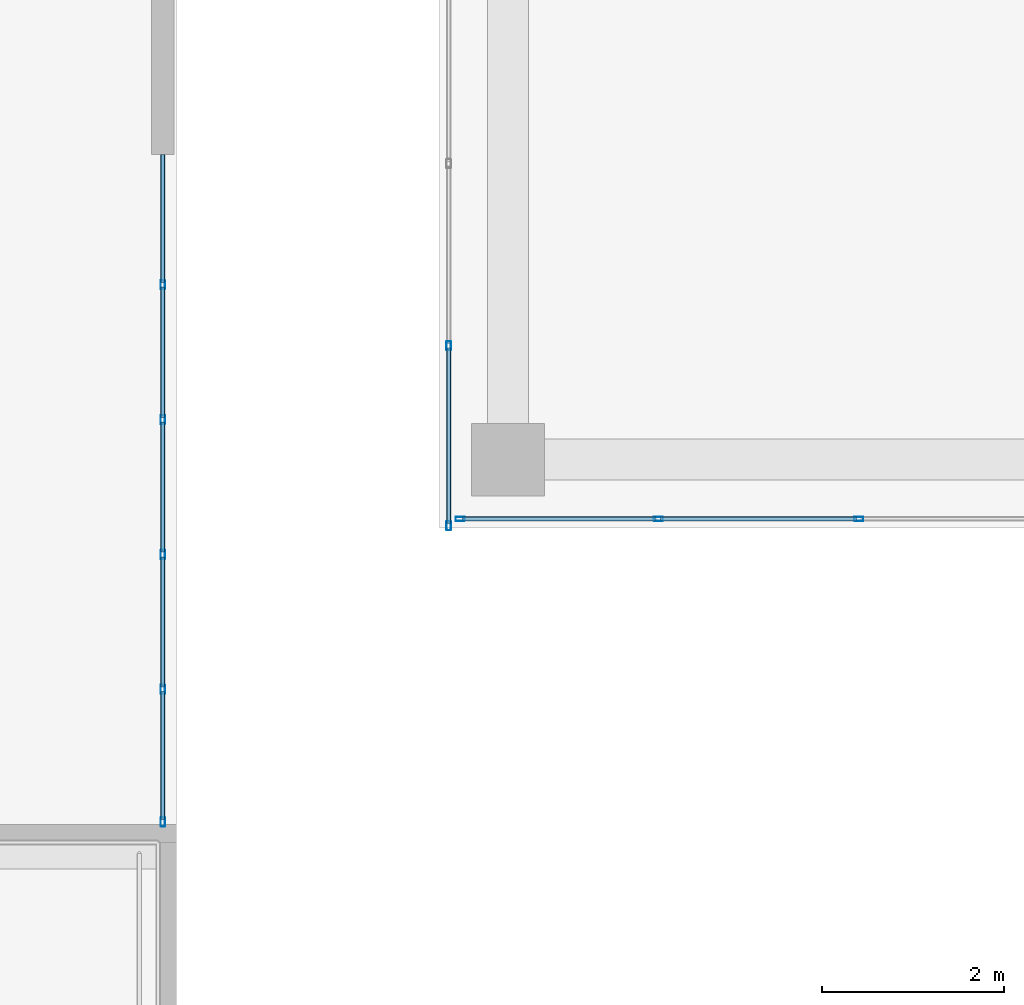
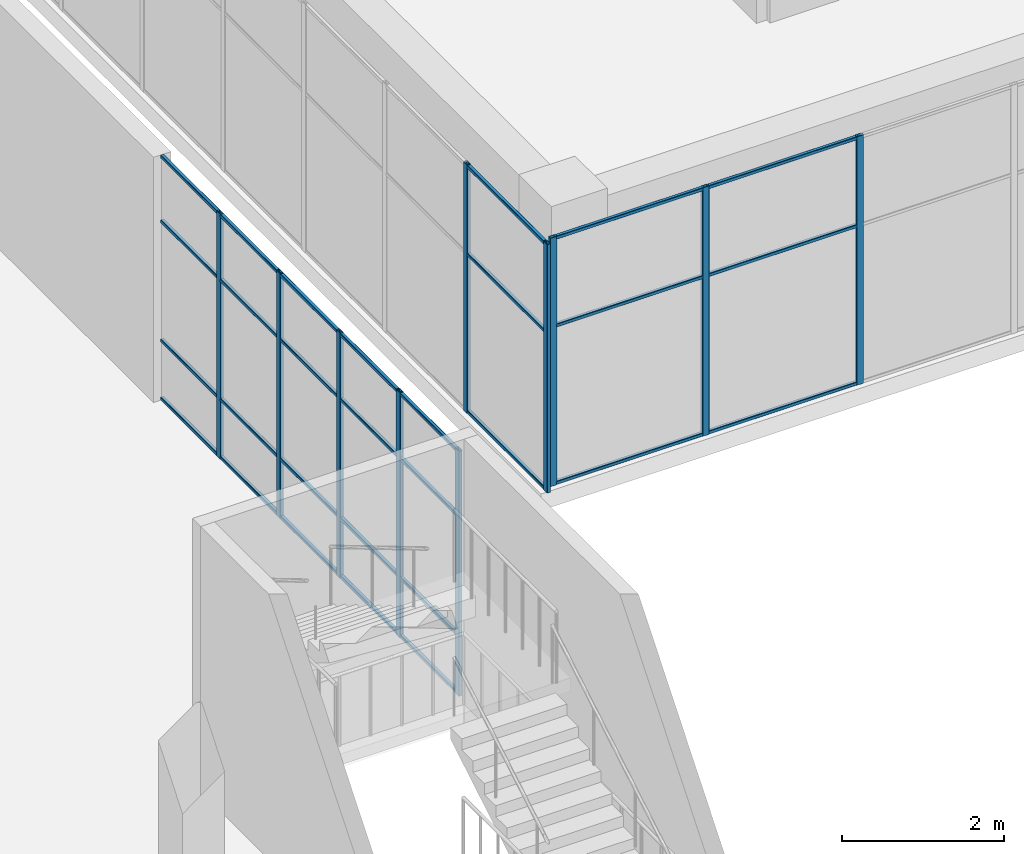
# One storey, part 11 of 65: 39 members, 3 elements without a shape of their own.
"""IFC4 building model written with IfcOpenShell, lengths in metres."""

from ifc_helpers import new_model, si_unit, direction, frame, origin, origin_2d, place, context, subcontext, project, spatial, hollow_rectangle, extrude, material, layer, layer_set, material_profile, profile_set, type_object, element, aggregate, save


model = new_model("IFC4")

# Units and contexts
model_context = context("Model", 3, precision=1e-05, world=origin(), true_north=direction((0.0, 1.0)))
body_context = subcontext(model_context, "Body", "Model", "MODEL_VIEW")
ifc_project = project(units=[si_unit("LENGTHUNIT", "METRE"), si_unit("AREAUNIT", "SQUARE_METRE"), si_unit("VOLUMEUNIT", "CUBIC_METRE"), si_unit("PLANEANGLEUNIT", "RADIAN"), si_unit("MASSUNIT", "GRAM", prefix="KILO")], contexts=[model_context])

# Site, building, storey
site_placement = place(None, origin())
site = spatial("IfcSite", under=ifc_project, at=site_placement, CompositionType="ELEMENT")
building_placement = place(site_placement, origin())
building = spatial("IfcBuilding", under=site, at=building_placement, Name="Tuart Plaza Theatre", CompositionType="ELEMENT")
storey_placement = place(building_placement, frame((0.0, 0.0, 9.5)))
storey = spatial("IfcBuildingStorey", under=building, at=storey_placement, Name="L02", CompositionType="ELEMENT", Elevation=9.5)

# Curtain wall, members
ifc_material_1 = material(Name="Aluminium and glass", Category="aluminium")
ifc_layer_1 = layer(ifc_material_1, 0.10009765625)
ifc_layer_set_1 = layer_set([ifc_layer_1], Name="CURTAIN WALL 1500 module")
curtain_wall_type_1 = type_object("IfcCurtainWallType", Name="CURTAIN WALL 1500 module", PredefinedType="NOTDEFINED", material=ifc_layer_set_1)
curtain_wall_1_placement = place(storey_placement, origin())
curtain_wall_1 = element("IfcCurtainWall", 1, at=curtain_wall_1_placement, inside=storey, type_object=curtain_wall_type_1, Name="CW34", PredefinedType="NOTDEFINED")
ifc_material_2 = material(Name="Aluminium 6063-T5", Category="aluminium")
ifc_material_profile_1 = material_profile(ifc_material_2, hollow_rectangle(XDim=0.050048828125, YDim=0.10009765625, WallThickness=0.00390625, InnerFilletRadius=0.00390625, OuterFilletRadius=0.008056640625, at=origin_2d()), Name="RHS 100x50x4")
ifc_profile_set_1 = profile_set([ifc_material_profile_1], Name="Aluminium 6063-T5")
member_type_1 = type_object("IfcMemberType", Name="MULLION RHS 100x50x4", PredefinedType="MULLION", material=ifc_profile_set_1)
member_1_placement = place(storey_placement, frame((110.212890625, 52.02490234375, 0.0), z_axis=(0.0, 0.0, 1.0), x_axis=(-1.0, 0.0, 0.0)))
member_1 = element("IfcMember", 2, at=member_1_placement, type_object=member_type_1, Name="CW34 mullion 1", PredefinedType="MULLION", context=body_context, shape_type="SweptSolid", body=[
    extrude(hollow_rectangle(XDim=0.050048828125, YDim=0.10009765625, WallThickness=0.00390625, InnerFilletRadius=0.00390625, OuterFilletRadius=0.008056640625, at=origin_2d()), origin(), (0.0, 0.0, 1.0), 3.699951171875),
])
member_2_placement = place(storey_placement, frame((110.212890625, 53.47998046875, 0.0), z_axis=(0.0, 0.0, 1.0), x_axis=(-1.0, 0.0, 0.0)))
member_2 = element("IfcMember", 3, at=member_2_placement, type_object=member_type_1, Name="CW34 mullion 2", PredefinedType="MULLION", context=body_context, shape_type="SweptSolid", body=[
    extrude(hollow_rectangle(XDim=0.050048828125, YDim=0.10009765625, WallThickness=0.00390625, InnerFilletRadius=0.00390625, OuterFilletRadius=0.008056640625, at=origin_2d()), origin(), (0.0, 0.0, 1.0), 3.699951171875),
])
member_3_placement = place(storey_placement, frame((110.212890625, 54.9599609375, 0.0), z_axis=(0.0, 0.0, 1.0), x_axis=(-1.0, 0.0, 0.0)))
member_3 = element("IfcMember", 4, at=member_3_placement, type_object=member_type_1, Name="CW34 mullion 3", PredefinedType="MULLION", context=body_context, shape_type="SweptSolid", body=[
    extrude(hollow_rectangle(XDim=0.050048828125, YDim=0.10009765625, WallThickness=0.00390625, InnerFilletRadius=0.00390625, OuterFilletRadius=0.008056640625, at=origin_2d()), origin(), (0.0, 0.0, 1.0), 3.699951171875),
])
member_4_placement = place(storey_placement, frame((110.212890625, 56.43994140625, 0.0), z_axis=(0.0, 0.0, 1.0), x_axis=(-1.0, 0.0, 0.0)))
member_4 = element("IfcMember", 5, at=member_4_placement, type_object=member_type_1, Name="CW34 mullion 4", PredefinedType="MULLION", context=body_context, shape_type="SweptSolid", body=[
    extrude(hollow_rectangle(XDim=0.050048828125, YDim=0.10009765625, WallThickness=0.00390625, InnerFilletRadius=0.00390625, OuterFilletRadius=0.008056640625, at=origin_2d()), origin(), (0.0, 0.0, 1.0), 3.699951171875),
])
member_5_placement = place(storey_placement, frame((110.212890625, 57.919921875, 0.0), z_axis=(0.0, 0.0, 1.0), x_axis=(-1.0, 0.0, 0.0)))
member_5 = element("IfcMember", 6, at=member_5_placement, type_object=member_type_1, Name="CW34 mullion 5", PredefinedType="MULLION", context=body_context, shape_type="SweptSolid", body=[
    extrude(hollow_rectangle(XDim=0.050048828125, YDim=0.10009765625, WallThickness=0.00390625, InnerFilletRadius=0.00390625, OuterFilletRadius=0.008056640625, at=origin_2d()), origin(), (0.0, 0.0, 1.0), 3.699951171875),
])

ifc_material_3 = material(Name="Aluminium and glass", Category="aluminium")
ifc_layer_2 = layer(ifc_material_3, 0.10009765625)
ifc_layer_set_2 = layer_set([ifc_layer_2], Name="CURTAIN WALL 2000 module")
curtain_wall_type_2 = type_object("IfcCurtainWallType", Name="CURTAIN WALL 2000 module", PredefinedType="NOTDEFINED", material=ifc_layer_set_2)
curtain_wall_2_placement = place(storey_placement, origin())
curtain_wall_2 = element("IfcCurtainWall", 7, at=curtain_wall_2_placement, inside=storey, type_object=curtain_wall_type_2, Name="CW73", PredefinedType="NOTDEFINED")
member_6_placement = place(storey_placement, frame((113.35009765625, 57.25, 0.0), z_axis=(0.0, 0.0, 1.0), x_axis=(1.0, 0.0, 0.0)))
member_6 = element("IfcMember", 8, at=member_6_placement, type_object=member_type_1, Name="CW73 mullion 21", PredefinedType="MULLION", context=body_context, shape_type="SweptSolid", body=[
    extrude(hollow_rectangle(XDim=0.050048828125, YDim=0.10009765625, WallThickness=0.00390625, InnerFilletRadius=0.00390625, OuterFilletRadius=0.008056640625, at=origin_2d()), origin(), (0.0, 0.0, 1.0), 3.75),
])
member_7_placement = place(storey_placement, frame((113.35009765625, 55.27490234375, 0.0), z_axis=(0.0, 0.0, 1.0), x_axis=(1.0, 0.0, 0.0)))
member_7 = element("IfcMember", 9, at=member_7_placement, type_object=member_type_1, Name="CW73 mullion 22", PredefinedType="MULLION", context=body_context, shape_type="SweptSolid", body=[
    extrude(hollow_rectangle(XDim=0.050048828125, YDim=0.10009765625, WallThickness=0.00390625, InnerFilletRadius=0.00390625, OuterFilletRadius=0.008056640625, at=origin_2d()), origin(), (0.0, 0.0, 1.0), 3.75),
])

curtain_wall_3_placement = place(storey_placement, origin())
curtain_wall_3 = element("IfcCurtainWall", 10, at=curtain_wall_3_placement, inside=storey, type_object=curtain_wall_type_2, Name="CW74", PredefinedType="NOTDEFINED")
member_8_placement = place(storey_placement, frame((113.47509765625, 55.35009765625, 0.0), z_axis=(0.0, 0.0, 1.0), x_axis=(0.0, 1.0, 0.0)))
member_8 = element("IfcMember", 11, at=member_8_placement, type_object=member_type_1, Name="CW74 mullion 1", PredefinedType="MULLION", context=body_context, shape_type="SweptSolid", body=[
    extrude(hollow_rectangle(XDim=0.050048828125, YDim=0.10009765625, WallThickness=0.00390625, InnerFilletRadius=0.00390625, OuterFilletRadius=0.008056640625, at=origin_2d()), origin(), (0.0, 0.0, 1.0), 3.75),
])
member_9_placement = place(storey_placement, frame((115.64990234375, 55.35009765625, 0.0), z_axis=(0.0, 0.0, 1.0), x_axis=(0.0, 1.0, 0.0)))
member_9 = element("IfcMember", 12, at=member_9_placement, type_object=member_type_1, Name="CW74 mullion 2", PredefinedType="MULLION", context=body_context, shape_type="SweptSolid", body=[
    extrude(hollow_rectangle(XDim=0.050048828125, YDim=0.10009765625, WallThickness=0.00390625, InnerFilletRadius=0.00390625, OuterFilletRadius=0.008056640625, at=origin_2d()), origin(), (0.0, 0.0, 1.0), 3.75),
])
member_10_placement = place(storey_placement, frame((117.85009765625, 55.35009765625, 0.0), z_axis=(0.0, 0.0, 1.0), x_axis=(0.0, 1.0, 0.0)))
member_10 = element("IfcMember", 13, at=member_10_placement, type_object=member_type_1, Name="CW74 mullion 3", PredefinedType="MULLION", context=body_context, shape_type="SweptSolid", body=[
    extrude(hollow_rectangle(XDim=0.050048828125, YDim=0.10009765625, WallThickness=0.00390625, InnerFilletRadius=0.00390625, OuterFilletRadius=0.008056640625, at=origin_2d()), origin(), (0.0, 0.0, 1.0), 3.75),
])

# Member
ifc_material_4 = material(Name="Aluminium 6063-T5", Category="aluminium")
ifc_material_profile_2 = material_profile(ifc_material_4, hollow_rectangle(XDim=0.050048828125, YDim=0.050048828125, WallThickness=0.00390625, InnerFilletRadius=0.00390625, OuterFilletRadius=0.008056640625, at=origin_2d()), Name="RHS 50x50x4")
ifc_profile_set_2 = profile_set([ifc_material_profile_2], Name="Aluminium 6063-T5")
member_type_2 = type_object("IfcMemberType", Name="TRANSOM RHS 50x50x4", PredefinedType="USERDEFINED", material=ifc_profile_set_2)
member_11_placement = place(storey_placement, frame((110.212890625, 52.050048828125, 0.02490234375), z_axis=(0.0, 1.0, 0.0), x_axis=(-1.0, 0.0, 0.0)))
member_11 = element("IfcMember", 14, at=member_11_placement, type_object=member_type_2, Name="CW34 transom 1.1", ObjectType="TRANSOM", PredefinedType="USERDEFINED", context=body_context, shape_type="SweptSolid", body=[
    extrude(hollow_rectangle(XDim=0.050048828125, YDim=0.050048828125, WallThickness=0.00390625, InnerFilletRadius=0.00390625, OuterFilletRadius=0.008056640625, at=origin_2d()), origin(), (0.0, 0.0, 1.0), 1.405029296875),
])

member_12_placement = place(storey_placement, frame((110.212890625, 52.050048828125, 0.89990234375), z_axis=(0.0, 1.0, 0.0), x_axis=(-1.0, 0.0, 0.0)))
member_12 = element("IfcMember", 15, at=member_12_placement, type_object=member_type_2, Name="CW34 transom 1.2", ObjectType="TRANSOM", PredefinedType="USERDEFINED", context=body_context, shape_type="SweptSolid", body=[
    extrude(hollow_rectangle(XDim=0.050048828125, YDim=0.050048828125, WallThickness=0.00390625, InnerFilletRadius=0.00390625, OuterFilletRadius=0.008056640625, at=origin_2d()), origin(), (0.0, 0.0, 1.0), 1.405029296875),
])

member_13_placement = place(storey_placement, frame((110.212890625, 52.050048828125, 2.699951171875), z_axis=(0.0, 1.0, 0.0), x_axis=(-1.0, 0.0, 0.0)))
member_13 = element("IfcMember", 16, at=member_13_placement, type_object=member_type_2, Name="CW34 transom 1.3", ObjectType="TRANSOM", PredefinedType="USERDEFINED", context=body_context, shape_type="SweptSolid", body=[
    extrude(hollow_rectangle(XDim=0.050048828125, YDim=0.050048828125, WallThickness=0.00390625, InnerFilletRadius=0.00390625, OuterFilletRadius=0.008056640625, at=origin_2d()), origin(), (0.0, 0.0, 1.0), 1.405029296875),
])

member_14_placement = place(storey_placement, frame((110.212890625, 52.050048828125, 3.675048828125), z_axis=(0.0, 1.0, 0.0), x_axis=(-1.0, 0.0, 0.0)))
member_14 = element("IfcMember", 17, at=member_14_placement, type_object=member_type_2, Name="CW34 transom 1.4", ObjectType="TRANSOM", PredefinedType="USERDEFINED", context=body_context, shape_type="SweptSolid", body=[
    extrude(hollow_rectangle(XDim=0.050048828125, YDim=0.050048828125, WallThickness=0.00390625, InnerFilletRadius=0.00390625, OuterFilletRadius=0.008056640625, at=origin_2d()), origin(), (0.0, 0.0, 1.0), 1.405029296875),
])

member_15_placement = place(storey_placement, frame((110.212890625, 53.5048828125, 0.02490234375), z_axis=(0.0, 1.0, 0.0), x_axis=(-1.0, 0.0, 0.0)))
member_15 = element("IfcMember", 18, at=member_15_placement, type_object=member_type_2, Name="CW34 transom 2.1", ObjectType="TRANSOM", PredefinedType="USERDEFINED", context=body_context, shape_type="SweptSolid", body=[
    extrude(hollow_rectangle(XDim=0.050048828125, YDim=0.050048828125, WallThickness=0.00390625, InnerFilletRadius=0.00390625, OuterFilletRadius=0.008056640625, at=origin_2d()), origin(), (0.0, 0.0, 1.0), 1.43017578125),
])

member_16_placement = place(storey_placement, frame((110.212890625, 53.5048828125, 0.89990234375), z_axis=(0.0, 1.0, 0.0), x_axis=(-1.0, 0.0, 0.0)))
member_16 = element("IfcMember", 19, at=member_16_placement, type_object=member_type_2, Name="CW34 transom 2.2", ObjectType="TRANSOM", PredefinedType="USERDEFINED", context=body_context, shape_type="SweptSolid", body=[
    extrude(hollow_rectangle(XDim=0.050048828125, YDim=0.050048828125, WallThickness=0.00390625, InnerFilletRadius=0.00390625, OuterFilletRadius=0.008056640625, at=origin_2d()), origin(), (0.0, 0.0, 1.0), 1.43017578125),
])

member_17_placement = place(storey_placement, frame((110.212890625, 53.5048828125, 2.699951171875), z_axis=(0.0, 1.0, 0.0), x_axis=(-1.0, 0.0, 0.0)))
member_17 = element("IfcMember", 20, at=member_17_placement, type_object=member_type_2, Name="CW34 transom 2.3", ObjectType="TRANSOM", PredefinedType="USERDEFINED", context=body_context, shape_type="SweptSolid", body=[
    extrude(hollow_rectangle(XDim=0.050048828125, YDim=0.050048828125, WallThickness=0.00390625, InnerFilletRadius=0.00390625, OuterFilletRadius=0.008056640625, at=origin_2d()), origin(), (0.0, 0.0, 1.0), 1.43017578125),
])

member_18_placement = place(storey_placement, frame((110.212890625, 53.5048828125, 3.675048828125), z_axis=(0.0, 1.0, 0.0), x_axis=(-1.0, 0.0, 0.0)))
member_18 = element("IfcMember", 21, at=member_18_placement, type_object=member_type_2, Name="CW34 transom 2.4", ObjectType="TRANSOM", PredefinedType="USERDEFINED", context=body_context, shape_type="SweptSolid", body=[
    extrude(hollow_rectangle(XDim=0.050048828125, YDim=0.050048828125, WallThickness=0.00390625, InnerFilletRadius=0.00390625, OuterFilletRadius=0.008056640625, at=origin_2d()), origin(), (0.0, 0.0, 1.0), 1.43017578125),
])

member_19_placement = place(storey_placement, frame((110.212890625, 54.985107421875, 0.02490234375), z_axis=(0.0, 1.0, 0.0), x_axis=(-1.0, 0.0, 0.0)))
member_19 = element("IfcMember", 22, at=member_19_placement, type_object=member_type_2, Name="CW34 transom 3.1", ObjectType="TRANSOM", PredefinedType="USERDEFINED", context=body_context, shape_type="SweptSolid", body=[
    extrude(hollow_rectangle(XDim=0.050048828125, YDim=0.050048828125, WallThickness=0.00390625, InnerFilletRadius=0.00390625, OuterFilletRadius=0.008056640625, at=origin_2d()), origin(), (0.0, 0.0, 1.0), 1.429931640625),
])

member_20_placement = place(storey_placement, frame((110.212890625, 54.985107421875, 0.89990234375), z_axis=(0.0, 1.0, 0.0), x_axis=(-1.0, 0.0, 0.0)))
member_20 = element("IfcMember", 23, at=member_20_placement, type_object=member_type_2, Name="CW34 transom 3.2", ObjectType="TRANSOM", PredefinedType="USERDEFINED", context=body_context, shape_type="SweptSolid", body=[
    extrude(hollow_rectangle(XDim=0.050048828125, YDim=0.050048828125, WallThickness=0.00390625, InnerFilletRadius=0.00390625, OuterFilletRadius=0.008056640625, at=origin_2d()), origin(), (0.0, 0.0, 1.0), 1.429931640625),
])

member_21_placement = place(storey_placement, frame((110.212890625, 54.985107421875, 2.699951171875), z_axis=(0.0, 1.0, 0.0), x_axis=(-1.0, 0.0, 0.0)))
member_21 = element("IfcMember", 24, at=member_21_placement, type_object=member_type_2, Name="CW34 transom 3.3", ObjectType="TRANSOM", PredefinedType="USERDEFINED", context=body_context, shape_type="SweptSolid", body=[
    extrude(hollow_rectangle(XDim=0.050048828125, YDim=0.050048828125, WallThickness=0.00390625, InnerFilletRadius=0.00390625, OuterFilletRadius=0.008056640625, at=origin_2d()), origin(), (0.0, 0.0, 1.0), 1.429931640625),
])

member_22_placement = place(storey_placement, frame((110.212890625, 54.985107421875, 3.675048828125), z_axis=(0.0, 1.0, 0.0), x_axis=(-1.0, 0.0, 0.0)))
member_22 = element("IfcMember", 25, at=member_22_placement, type_object=member_type_2, Name="CW34 transom 3.4", ObjectType="TRANSOM", PredefinedType="USERDEFINED", context=body_context, shape_type="SweptSolid", body=[
    extrude(hollow_rectangle(XDim=0.050048828125, YDim=0.050048828125, WallThickness=0.00390625, InnerFilletRadius=0.00390625, OuterFilletRadius=0.008056640625, at=origin_2d()), origin(), (0.0, 0.0, 1.0), 1.429931640625),
])

member_23_placement = place(storey_placement, frame((110.212890625, 56.465087890625, 0.02490234375), z_axis=(0.0, 1.0, 0.0), x_axis=(-1.0, 0.0, 0.0)))
member_23 = element("IfcMember", 26, at=member_23_placement, type_object=member_type_2, Name="CW34 transom 4.1", ObjectType="TRANSOM", PredefinedType="USERDEFINED", context=body_context, shape_type="SweptSolid", body=[
    extrude(hollow_rectangle(XDim=0.050048828125, YDim=0.050048828125, WallThickness=0.00390625, InnerFilletRadius=0.00390625, OuterFilletRadius=0.008056640625, at=origin_2d()), origin(), (0.0, 0.0, 1.0), 1.429931640625),
])

member_24_placement = place(storey_placement, frame((110.212890625, 56.465087890625, 0.89990234375), z_axis=(0.0, 1.0, 0.0), x_axis=(-1.0, 0.0, 0.0)))
member_24 = element("IfcMember", 27, at=member_24_placement, type_object=member_type_2, Name="CW34 transom 4.2", ObjectType="TRANSOM", PredefinedType="USERDEFINED", context=body_context, shape_type="SweptSolid", body=[
    extrude(hollow_rectangle(XDim=0.050048828125, YDim=0.050048828125, WallThickness=0.00390625, InnerFilletRadius=0.00390625, OuterFilletRadius=0.008056640625, at=origin_2d()), origin(), (0.0, 0.0, 1.0), 1.429931640625),
])

member_25_placement = place(storey_placement, frame((110.212890625, 56.465087890625, 2.699951171875), z_axis=(0.0, 1.0, 0.0), x_axis=(-1.0, 0.0, 0.0)))
member_25 = element("IfcMember", 28, at=member_25_placement, type_object=member_type_2, Name="CW34 transom 4.3", ObjectType="TRANSOM", PredefinedType="USERDEFINED", context=body_context, shape_type="SweptSolid", body=[
    extrude(hollow_rectangle(XDim=0.050048828125, YDim=0.050048828125, WallThickness=0.00390625, InnerFilletRadius=0.00390625, OuterFilletRadius=0.008056640625, at=origin_2d()), origin(), (0.0, 0.0, 1.0), 1.429931640625),
])

member_26_placement = place(storey_placement, frame((110.212890625, 56.465087890625, 3.675048828125), z_axis=(0.0, 1.0, 0.0), x_axis=(-1.0, 0.0, 0.0)))
member_26 = element("IfcMember", 29, at=member_26_placement, type_object=member_type_2, Name="CW34 transom 4.4", ObjectType="TRANSOM", PredefinedType="USERDEFINED", context=body_context, shape_type="SweptSolid", body=[
    extrude(hollow_rectangle(XDim=0.050048828125, YDim=0.050048828125, WallThickness=0.00390625, InnerFilletRadius=0.00390625, OuterFilletRadius=0.008056640625, at=origin_2d()), origin(), (0.0, 0.0, 1.0), 1.429931640625),
])

member_27_placement = place(storey_placement, frame((110.212890625, 57.945068359375, 0.02490234375), z_axis=(0.0, 1.0, 0.0), x_axis=(-1.0, 0.0, 0.0)))
member_27 = element("IfcMember", 30, at=member_27_placement, type_object=member_type_2, Name="CW34 transom 5.1", ObjectType="TRANSOM", PredefinedType="USERDEFINED", context=body_context, shape_type="SweptSolid", body=[
    extrude(hollow_rectangle(XDim=0.050048828125, YDim=0.050048828125, WallThickness=0.00390625, InnerFilletRadius=0.00390625, OuterFilletRadius=0.008056640625, at=origin_2d()), origin(), (0.0, 0.0, 1.0), 1.405029296875),
])

member_28_placement = place(storey_placement, frame((110.212890625, 57.945068359375, 0.89990234375), z_axis=(0.0, 1.0, 0.0), x_axis=(-1.0, 0.0, 0.0)))
member_28 = element("IfcMember", 31, at=member_28_placement, type_object=member_type_2, Name="CW34 transom 5.2", ObjectType="TRANSOM", PredefinedType="USERDEFINED", context=body_context, shape_type="SweptSolid", body=[
    extrude(hollow_rectangle(XDim=0.050048828125, YDim=0.050048828125, WallThickness=0.00390625, InnerFilletRadius=0.00390625, OuterFilletRadius=0.008056640625, at=origin_2d()), origin(), (0.0, 0.0, 1.0), 1.405029296875),
])

member_29_placement = place(storey_placement, frame((110.212890625, 57.945068359375, 2.699951171875), z_axis=(0.0, 1.0, 0.0), x_axis=(-1.0, 0.0, 0.0)))
member_29 = element("IfcMember", 32, at=member_29_placement, type_object=member_type_2, Name="CW34 transom 5.3", ObjectType="TRANSOM", PredefinedType="USERDEFINED", context=body_context, shape_type="SweptSolid", body=[
    extrude(hollow_rectangle(XDim=0.050048828125, YDim=0.050048828125, WallThickness=0.00390625, InnerFilletRadius=0.00390625, OuterFilletRadius=0.008056640625, at=origin_2d()), origin(), (0.0, 0.0, 1.0), 1.405029296875),
])

member_30_placement = place(storey_placement, frame((110.212890625, 57.945068359375, 3.675048828125), z_axis=(0.0, 1.0, 0.0), x_axis=(-1.0, 0.0, 0.0)))
member_30 = element("IfcMember", 33, at=member_30_placement, type_object=member_type_2, Name="CW34 transom 5.4", ObjectType="TRANSOM", PredefinedType="USERDEFINED", context=body_context, shape_type="SweptSolid", body=[
    extrude(hollow_rectangle(XDim=0.050048828125, YDim=0.050048828125, WallThickness=0.00390625, InnerFilletRadius=0.00390625, OuterFilletRadius=0.008056640625, at=origin_2d()), origin(), (0.0, 0.0, 1.0), 1.405029296875),
])

aggregate(curtain_wall_1, [member_1, member_2, member_3, member_4, member_5, member_11, member_12, member_13, member_14, member_15, member_16, member_17, member_18, member_19, member_20, member_21, member_22, member_23, member_24, member_25, member_26, member_27, member_28, member_29, member_30])

member_31_placement = place(storey_placement, frame((113.35009765625, 57.22509765625, 0.02490234375), z_axis=(0.0, -1.0, 0.0), x_axis=(1.0, 0.0, 0.0)))
member_31 = element("IfcMember", 34, at=member_31_placement, type_object=member_type_2, Name="CW73 transom 21.1", ObjectType="TRANSOM", PredefinedType="USERDEFINED", context=body_context, shape_type="SweptSolid", body=[
    extrude(hollow_rectangle(XDim=0.050048828125, YDim=0.050048828125, WallThickness=0.00390625, InnerFilletRadius=0.00390625, OuterFilletRadius=0.008056640625, at=origin_2d()), origin(), (0.0, 0.0, 1.0), 1.925048828125),
])

member_32_placement = place(storey_placement, frame((113.35009765625, 57.22509765625, 2.39990234375), z_axis=(0.0, -1.0, 0.0), x_axis=(1.0, 0.0, 0.0)))
member_32 = element("IfcMember", 35, at=member_32_placement, type_object=member_type_2, Name="CW73 transom 21.2", ObjectType="TRANSOM", PredefinedType="USERDEFINED", context=body_context, shape_type="SweptSolid", body=[
    extrude(hollow_rectangle(XDim=0.050048828125, YDim=0.050048828125, WallThickness=0.00390625, InnerFilletRadius=0.00390625, OuterFilletRadius=0.008056640625, at=origin_2d()), origin(), (0.0, 0.0, 1.0), 1.925048828125),
])

member_33_placement = place(storey_placement, frame((113.35009765625, 57.22509765625, 3.72509765625), z_axis=(0.0, -1.0, 0.0), x_axis=(1.0, 0.0, 0.0)))
member_33 = element("IfcMember", 36, at=member_33_placement, type_object=member_type_2, Name="CW73 transom 21.3", ObjectType="TRANSOM", PredefinedType="USERDEFINED", context=body_context, shape_type="SweptSolid", body=[
    extrude(hollow_rectangle(XDim=0.050048828125, YDim=0.050048828125, WallThickness=0.00390625, InnerFilletRadius=0.00390625, OuterFilletRadius=0.008056640625, at=origin_2d()), origin(), (0.0, 0.0, 1.0), 1.925048828125),
])

aggregate(curtain_wall_2, [member_6, member_7, member_31, member_32, member_33])

member_34_placement = place(storey_placement, frame((113.5, 55.35009765625, 0.02490234375), z_axis=(1.0, 0.0, 0.0), x_axis=(0.0, 1.0, 0.0)))
member_34 = element("IfcMember", 37, at=member_34_placement, type_object=member_type_2, Name="CW74 transom 1.1", ObjectType="TRANSOM", PredefinedType="USERDEFINED", context=body_context, shape_type="SweptSolid", body=[
    extrude(hollow_rectangle(XDim=0.050048828125, YDim=0.050048828125, WallThickness=0.00390625, InnerFilletRadius=0.00390625, OuterFilletRadius=0.008056640625, at=origin_2d()), origin(), (0.0, 0.0, 1.0), 2.125),
])

member_35_placement = place(storey_placement, frame((113.5, 55.35009765625, 2.39990234375), z_axis=(1.0, 0.0, 0.0), x_axis=(0.0, 1.0, 0.0)))
member_35 = element("IfcMember", 38, at=member_35_placement, type_object=member_type_2, Name="CW74 transom 1.2", ObjectType="TRANSOM", PredefinedType="USERDEFINED", context=body_context, shape_type="SweptSolid", body=[
    extrude(hollow_rectangle(XDim=0.050048828125, YDim=0.050048828125, WallThickness=0.00390625, InnerFilletRadius=0.00390625, OuterFilletRadius=0.008056640625, at=origin_2d()), origin(), (0.0, 0.0, 1.0), 2.125),
])

member_36_placement = place(storey_placement, frame((113.5, 55.35009765625, 3.72509765625), z_axis=(1.0, 0.0, 0.0), x_axis=(0.0, 1.0, 0.0)))
member_36 = element("IfcMember", 39, at=member_36_placement, type_object=member_type_2, Name="CW74 transom 1.3", ObjectType="TRANSOM", PredefinedType="USERDEFINED", context=body_context, shape_type="SweptSolid", body=[
    extrude(hollow_rectangle(XDim=0.050048828125, YDim=0.050048828125, WallThickness=0.00390625, InnerFilletRadius=0.00390625, OuterFilletRadius=0.008056640625, at=origin_2d()), origin(), (0.0, 0.0, 1.0), 2.125),
])

member_37_placement = place(storey_placement, frame((115.675048828125, 55.35009765625, 0.02490234375), z_axis=(1.0, 0.0, 0.0), x_axis=(0.0, 1.0, 0.0)))
member_37 = element("IfcMember", 40, at=member_37_placement, type_object=member_type_2, Name="CW74 transom 2.1", ObjectType="TRANSOM", PredefinedType="USERDEFINED", context=body_context, shape_type="SweptSolid", body=[
    extrude(hollow_rectangle(XDim=0.050048828125, YDim=0.050048828125, WallThickness=0.00390625, InnerFilletRadius=0.00390625, OuterFilletRadius=0.008056640625, at=origin_2d()), origin(), (0.0, 0.0, 1.0), 2.14990234375),
])

member_38_placement = place(storey_placement, frame((115.675048828125, 55.35009765625, 2.39990234375), z_axis=(1.0, 0.0, 0.0), x_axis=(0.0, 1.0, 0.0)))
member_38 = element("IfcMember", 41, at=member_38_placement, type_object=member_type_2, Name="CW74 transom 2.2", ObjectType="TRANSOM", PredefinedType="USERDEFINED", context=body_context, shape_type="SweptSolid", body=[
    extrude(hollow_rectangle(XDim=0.050048828125, YDim=0.050048828125, WallThickness=0.00390625, InnerFilletRadius=0.00390625, OuterFilletRadius=0.008056640625, at=origin_2d()), origin(), (0.0, 0.0, 1.0), 2.14990234375),
])

member_39_placement = place(storey_placement, frame((115.675048828125, 55.35009765625, 3.72509765625), z_axis=(1.0, 0.0, 0.0), x_axis=(0.0, 1.0, 0.0)))
member_39 = element("IfcMember", 42, at=member_39_placement, type_object=member_type_2, Name="CW74 transom 2.3", ObjectType="TRANSOM", PredefinedType="USERDEFINED", context=body_context, shape_type="SweptSolid", body=[
    extrude(hollow_rectangle(XDim=0.050048828125, YDim=0.050048828125, WallThickness=0.00390625, InnerFilletRadius=0.00390625, OuterFilletRadius=0.008056640625, at=origin_2d()), origin(), (0.0, 0.0, 1.0), 2.14990234375),
])

aggregate(curtain_wall_3, [member_8, member_9, member_10, member_34, member_35, member_36, member_37, member_38, member_39])

save(model, "model.ifc")
